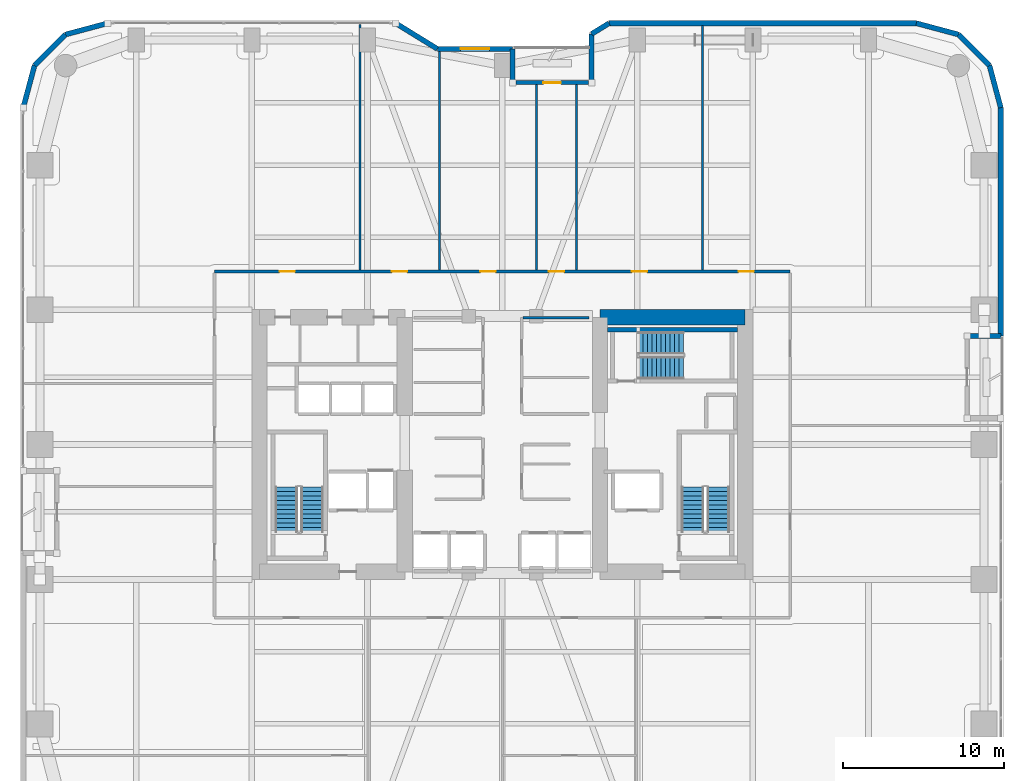
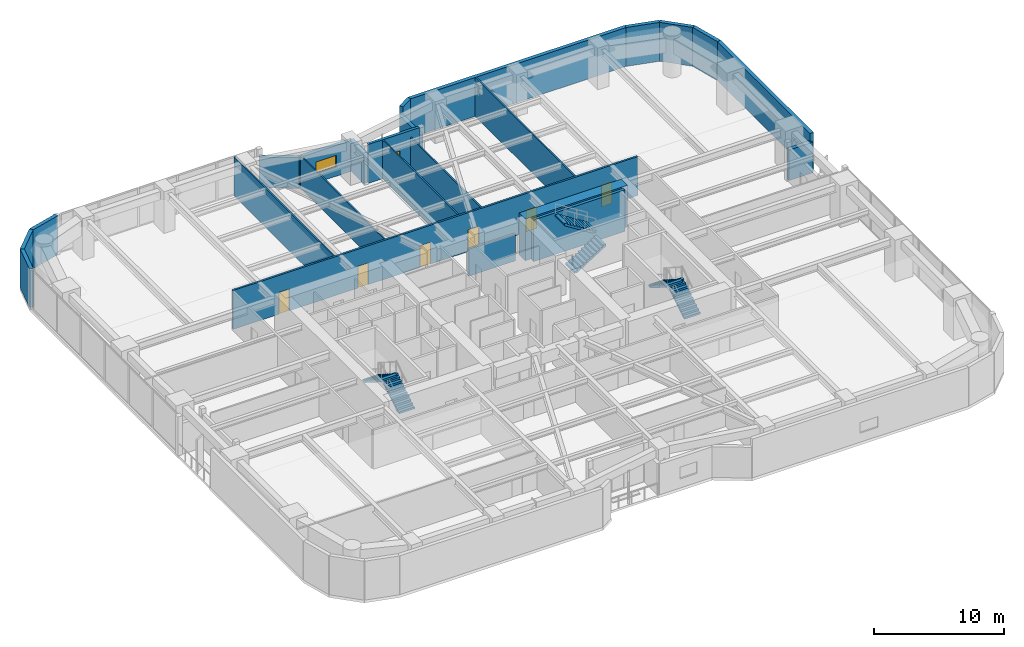
# One storey, part 25 of 28: 24 walls, 7 doors, 6 stair flights, 1 window, 8 openings, 3 elements without a shape of their own.
"""IFC4 building model written with IfcOpenShell, lengths in metres."""

from ifc_helpers import new_model, si_unit, direction, frame, frame_2d, origin, place, context, subcontext, project, spatial, polyline, rectangle, outline, extrude, material, layer, layer_set, type_object, element, fill, aggregate, save


model = new_model("IFC4")

# Units and contexts
model_context = context("Model", 3, precision=1e-05, world=origin(), true_north=direction((0.0, 1.0)))
body_context = subcontext(model_context, "Body", "Model", "MODEL_VIEW")
ifc_project = project(units=[si_unit("LENGTHUNIT", "METRE"), si_unit("AREAUNIT", "SQUARE_METRE"), si_unit("VOLUMEUNIT", "CUBIC_METRE"), si_unit("PLANEANGLEUNIT", "RADIAN"), si_unit("MASSUNIT", "GRAM", prefix="KILO")], contexts=[model_context])

# Site, building, storey
site_placement = place(None, origin())
site = spatial("IfcSite", under=ifc_project, at=site_placement, CompositionType="ELEMENT")
building_placement = place(site_placement, origin())
building = spatial("IfcBuilding", under=site, at=building_placement, Name="Kiyonajd Concourse Tower", CompositionType="ELEMENT")
storey_placement = place(building_placement, frame((0.0, 0.0, 41.10009765625)))
storey = spatial("IfcBuildingStorey", under=building, at=storey_placement, Name="L11", CompositionType="ELEMENT", Elevation=41.10009765625)

# Walls
ifc_material_1 = material(Name="Concrete C80/95", Category="concrete")
ifc_layer_1 = layer(ifc_material_1, 0.949951171875)
ifc_layer_set_1 = layer_set([ifc_layer_1], Name="Concrete C80/95")
wall_type_1 = type_object("IfcWallType", Name="WL-CORE-950", PredefinedType="SHEAR", material=ifc_layer_set_1)
wall_1_placement = place(storey_placement, frame((54.074951171875, 43.925048828125, 0.0), z_axis=(0.0, 0.0, 1.0), x_axis=(1.0, 0.0, 0.0)))
element("IfcWall", 1, at=wall_1_placement, inside=storey, type_object=wall_type_1, Name="L11 East Core North Shear Wall", PredefinedType="SHEAR", context=body_context, shape_type="SweptSolid", body=[
    extrude(rectangle(XDim=9.050048828125, YDim=0.949951171875, at=frame_2d((4.52490234375, 0.0))), origin(), (0.0, 0.0, 1.0), 3.89990234375),
])
ifc_material_2 = material(Name="Precast concrete C50/60", Category="concrete")
ifc_layer_2 = layer(ifc_material_2, 0.320068359375)
ifc_layer_set_2 = layer_set([ifc_layer_2], Name="Precast concrete C50/60")
wall_type_2 = type_object("IfcWallType", Name="WL-EXT-320", PredefinedType="SOLIDWALL", material=ifc_layer_set_2)
wall_2_placement = place(storey_placement, frame((18.159912109375, 56.97900390625, 0.0), z_axis=(0.0, 0.0, 1.0), x_axis=(0.25869736047, 0.965958423373, 0.0)))
element("IfcWall", 2, at=wall_2_placement, inside=storey, type_object=wall_type_2, Name="L11 Exterior Concrete Frame Wall 06", PredefinedType="SOLIDWALL", context=body_context, shape_type="SweptSolid", body=[
    extrude(rectangle(XDim=2.731201171875, YDim=0.320068359375, at=frame_2d((1.36572265625, 0.0))), origin(), (0.0, 0.0, 1.0), 3.639892578125),
])
wall_3_placement = place(storey_placement, frame((18.866455078125, 59.6171875, 0.0), z_axis=(0.0, 0.0, 1.0), x_axis=(0.707106781187, 0.707106781187, 0.0)))
element("IfcWall", 3, at=wall_3_placement, inside=storey, type_object=wall_type_2, Name="L11 Exterior Concrete Frame Wall 07", PredefinedType="SOLIDWALL", context=body_context, shape_type="SweptSolid", body=[
    extrude(rectangle(XDim=2.7099609375, YDim=0.320068359375, at=frame_2d((1.35498046875, 0.0))), origin(), (0.0, 0.0, 1.0), 3.639892578125),
])
wall_4_placement = place(storey_placement, frame((20.78271484375, 61.533447265625, 0.0), z_axis=(0.0, 0.0, 1.0), x_axis=(0.965964405026, 0.25867502435, 0.0)))
element("IfcWall", 4, at=wall_4_placement, inside=storey, type_object=wall_type_2, Name="L11 Exterior Concrete Frame Wall 08", PredefinedType="SOLIDWALL", context=body_context, shape_type="SweptSolid", body=[
    extrude(rectangle(XDim=2.7314453125, YDim=0.320068359375, at=frame_2d((1.36572265625, 0.0))), origin(), (0.0, 0.0, 1.0), 3.639892578125),
])
wall_5_placement = place(storey_placement, frame((41.354736328125, 62.239990234375, 0.0), z_axis=(0.0, 0.0, 1.0), x_axis=(0.851630857047, -0.524142044989, 0.0)))
element("IfcWall", 5, at=wall_5_placement, inside=storey, type_object=wall_type_2, Name="L11 Exterior Concrete Frame Wall 10", PredefinedType="SOLIDWALL", context=body_context, shape_type="SweptSolid", body=[
    extrude(rectangle(XDim=3.052734375, YDim=0.320068359375, at=frame_2d((1.5263671875, 0.0))), origin(), (0.0, 0.0, 1.0), 2.875),
])

# Wall, opening, window
wall_6_placement = place(storey_placement, frame((43.95458984375, 60.639892578125, 0.0), z_axis=(0.0, 0.0, 1.0), x_axis=(1.0, 0.0, 0.0)))
wall_6 = element("IfcWall", 6, at=wall_6_placement, inside=storey, type_object=wall_type_2, Name="L11 Exterior Concrete Frame Wall 11", PredefinedType="SOLIDWALL", context=body_context, shape_type="SweptSolid", body=[
    extrude(rectangle(XDim=4.685302734375, YDim=0.320068359375, at=frame_2d((2.3427734375, 0.0))), origin(), (0.0, 0.0, 1.0), 2.875),
])
opening_1_placement = place(wall_6_placement, frame((1.443115234375, 0.0, 0.85009765625)))
opening_1 = element("IfcOpeningElement", 7, at=opening_1_placement, cuts=wall_6, Name="Opening WN1", PredefinedType="OPENING", context=body_context, shape_type="SweptSolid", body=[
    extrude(rectangle(XDim=1.800048828125, YDim=1.10009765625, at=frame_2d((0.89990234375, 0.550048828125))), frame((0.0, 0.169921875, 0.0), z_axis=(0.0, -1.0, 0.0), x_axis=(1.0, 0.0, 0.0)), (0.0, 0.0, 1.0), 0.340087890625),
])
ifc_material_3 = material(Name="Double Low-E Insulated Glass", Category="glass")
window_type = type_object("IfcWindowType", Name="WN-VIS-1800x1100", PartitioningType="SINGLE_PANEL", PredefinedType="WINDOW", material=ifc_material_3)
window_placement = place(opening_1_placement, origin())
window = element("IfcWindow", 8, at=window_placement, inside=storey, type_object=window_type, Name="L11 Modular Facade Vision Window 11", OverallHeight=1.10009765625, OverallWidth=1.800048828125, PartitioningType="SINGLE_PANEL", PredefinedType="WINDOW", context=body_context, shape_type="SweptSolid", body=[
    extrude(rectangle(XDim=1.800048828125, YDim=1.10009765625, at=frame_2d((0.89990234375, 0.550048828125))), frame((0.0, 0.030029296875, 0.0), z_axis=(0.0, -1.0, 0.0), x_axis=(1.0, 0.0, 0.0)), (0.0, 0.0, 1.0), 0.06005859375),
])
fill(opening_1, window)

# Walls
wall_7_placement = place(storey_placement, frame((48.639892578125, 60.639892578125, 0.0), z_axis=(0.0, 0.0, 1.0), x_axis=(0.0, -1.0, 0.0)))
element("IfcWall", 9, at=wall_7_placement, inside=storey, type_object=wall_type_2, Name="L11 Exterior Concrete Frame Wall 12", PredefinedType="SOLIDWALL", context=body_context, shape_type="SweptSolid", body=[
    extrude(rectangle(XDim=2.099853515625, YDim=0.320068359375, at=frame_2d((1.0498046875, 0.0))), origin(), (0.0, 0.0, 1.0), 2.875),
])
wall_8_placement = place(storey_placement, frame((53.56005859375, 58.5400390625, 0.0), z_axis=(0.0, 0.0, 1.0), x_axis=(0.0, 1.0, 0.0)))
element("IfcWall", 10, at=wall_8_placement, inside=storey, type_object=wall_type_2, Name="L11 Exterior Concrete Frame Wall 14", PredefinedType="SOLIDWALL", context=body_context, shape_type="SweptSolid", body=[
    extrude(rectangle(XDim=3.032470703125, YDim=0.320068359375, at=frame_2d((1.51611328125, 0.0))), origin(), (0.0, 0.0, 1.0), 2.875),
])
wall_9_placement = place(storey_placement, frame((53.56005859375, 61.572509765625, 0.0), z_axis=(0.0, 0.0, 1.0), x_axis=(0.851776724646, 0.523904964045, 0.0)))
element("IfcWall", 11, at=wall_9_placement, inside=storey, type_object=wall_type_2, Name="L11 Exterior Concrete Frame Wall 15", PredefinedType="SOLIDWALL", context=body_context, shape_type="SweptSolid", body=[
    extrude(rectangle(XDim=1.274169921875, YDim=0.320068359375, at=frame_2d((0.63720703125, 0.0))), origin(), (0.0, 0.0, 1.0), 3.639892578125),
])
wall_10_placement = place(storey_placement, frame((54.645263671875, 62.239990234375, 0.0), z_axis=(0.0, 0.0, 1.0), x_axis=(1.0, 0.0, 0.0)))
element("IfcWall", 12, at=wall_10_placement, inside=storey, type_object=wall_type_2, Name="L11 Exterior Concrete Frame Wall 16", PredefinedType="SOLIDWALL", context=body_context, shape_type="SweptSolid", body=[
    extrude(rectangle(XDim=19.133544921875, YDim=0.320068359375, at=frame_2d((9.56689453125, 0.0))), origin(), (0.0, 0.0, 1.0), 3.639892578125),
])
wall_11_placement = place(storey_placement, frame((73.77880859375, 62.239990234375, 0.0), z_axis=(0.0, 0.0, 1.0), x_axis=(0.965964405026, -0.25867502435, 0.0)))
element("IfcWall", 13, at=wall_11_placement, inside=storey, type_object=wall_type_2, Name="L11 Exterior Concrete Frame Wall 17", PredefinedType="SOLIDWALL", context=body_context, shape_type="SweptSolid", body=[
    extrude(rectangle(XDim=2.7314453125, YDim=0.320068359375, at=frame_2d((1.36572265625, 0.0))), origin(), (0.0, 0.0, 1.0), 3.639892578125),
])
wall_12_placement = place(storey_placement, frame((76.417236328125, 61.533447265625, 0.0), z_axis=(0.0, 0.0, 1.0), x_axis=(0.707106781187, -0.707106781187, 0.0)))
element("IfcWall", 14, at=wall_12_placement, inside=storey, type_object=wall_type_2, Name="L11 Exterior Concrete Frame Wall 18", PredefinedType="SOLIDWALL", context=body_context, shape_type="SweptSolid", body=[
    extrude(rectangle(XDim=2.7099609375, YDim=0.320068359375, at=frame_2d((1.35498046875, 0.0))), origin(), (0.0, 0.0, 1.0), 3.639892578125),
])
wall_13_placement = place(storey_placement, frame((78.33349609375, 59.6171875, 0.0), z_axis=(0.0, 0.0, 1.0), x_axis=(0.25869736047, -0.965958423373, 0.0)))
element("IfcWall", 15, at=wall_13_placement, inside=storey, type_object=wall_type_2, Name="L11 Exterior Concrete Frame Wall 19", PredefinedType="SOLIDWALL", context=body_context, shape_type="SweptSolid", body=[
    extrude(rectangle(XDim=2.731201171875, YDim=0.320068359375, at=frame_2d((1.36572265625, 0.0))), origin(), (0.0, 0.0, 1.0), 3.639892578125),
])
wall_14_placement = place(storey_placement, frame((79.0400390625, 56.97900390625, 0.0), z_axis=(0.0, 0.0, 1.0), x_axis=(0.0, -1.0, 0.0)))
element("IfcWall", 16, at=wall_14_placement, inside=storey, type_object=wall_type_2, Name="L11 Exterior Concrete Frame Wall 20", PredefinedType="SOLIDWALL", context=body_context, shape_type="SweptSolid", body=[
    extrude(rectangle(XDim=14.218994140625, YDim=0.320068359375, at=frame_2d((7.109375, 0.0))), origin(), (0.0, 0.0, 1.0), 3.639892578125),
])
wall_15_placement = place(storey_placement, frame((79.0400390625, 42.760009765625, 0.0), z_axis=(0.0, 0.0, 1.0), x_axis=(-1.0, 0.0, 0.0)))
element("IfcWall", 17, at=wall_15_placement, inside=storey, type_object=wall_type_2, Name="L11 Exterior Concrete Frame Wall 21", PredefinedType="SOLIDWALL", context=body_context, shape_type="SweptSolid", body=[
    extrude(rectangle(XDim=2.10009765625, YDim=0.320068359375, at=frame_2d((1.050048828125, 0.0))), origin(), (0.0, 0.0, 1.0), 2.875),
])

# Wall, opening, door
ifc_layer_3 = layer(ifc_material_2, 0.239990234375)
ifc_layer_set_3 = layer_set([ifc_layer_3], Name="Precast concrete C50/60")
wall_type_3 = type_object("IfcWallType", Name="WL-LOG-240", PredefinedType="SOLIDWALL", material=ifc_layer_set_3)
wall_16_placement = place(storey_placement, frame((48.8349609375, 58.5400390625, 0.0), z_axis=(0.0, 0.0, 1.0), x_axis=(1.0, 0.0, 0.0)))
wall_16 = element("IfcWall", 18, at=wall_16_placement, inside=storey, type_object=wall_type_3, Name="L11 Recessed Loggia Thermal Wall LOG-N", PredefinedType="SOLIDWALL", context=body_context, shape_type="SweptSolid", body=[
    extrude(rectangle(XDim=4.530029296875, YDim=0.239990234375, at=frame_2d((2.26513671875, 0.0))), origin(), (0.0, 0.0, 1.0), 3.639892578125),
])
opening_2_placement = place(wall_16_placement, frame((1.715087890625, 0.0, 0.0)))
opening_2 = element("IfcOpeningElement", 19, at=opening_2_placement, cuts=wall_16, Name="Opening DL2", PredefinedType="OPENING", context=body_context, shape_type="SweptSolid", body=[
    extrude(rectangle(XDim=1.10009765625, YDim=2.0400390625, at=frame_2d((0.550048828125, 1.02001953125))), frame((0.0, 0.1298828125, 0.0), z_axis=(0.0, -1.0, 0.0), x_axis=(1.0, 0.0, 0.0)), (0.0, 0.0, 1.0), 0.260009765625),
])
ifc_material_4 = material(Name="Thermally Broken Anodised Aluminium", Category="aluminium")
door_type_1 = type_object("IfcDoorType", Name="DR-LOG-1100", OperationType="NOTDEFINED", PredefinedType="DOOR", material=ifc_material_4)
door_1_placement = place(opening_2_placement, origin())
door_1 = element("IfcDoor", 20, at=door_1_placement, inside=storey, type_object=door_type_1, Name="L11 Engawa Loggia Access Door LOG-N", OperationType="SINGLE_SWING_RIGHT", OverallHeight=2.0400390625, OverallWidth=1.10009765625, PredefinedType="DOOR", context=body_context, shape_type="SweptSolid", body=[
    extrude(rectangle(XDim=1.10009765625, YDim=2.0400390625, at=frame_2d((0.550048828125, 1.02001953125))), frame((0.0, 0.02490234375, 0.0), z_axis=(0.0, -1.0, 0.0), x_axis=(1.0, 0.0, 0.0)), (0.0, 0.0, 1.0), 0.050048828125),
])
fill(opening_2, door_1)

# Walls
ifc_material_5 = material(Name="Gypsum Board on Cold-Formed Steel Stud", Category="steel")
ifc_layer_4 = layer(ifc_material_5, 0.125)
ifc_layer_set_4 = layer_set([ifc_layer_4], Name="Gypsum Board on Cold-Formed Steel Stud")
wall_type_4 = type_object("IfcWallType", Name="WL-PART-125", PredefinedType="PARTITIONING", material=ifc_layer_set_4)
wall_17_placement = place(storey_placement, frame((39.1298828125, 46.866943359375, 0.0), z_axis=(0.0, 0.0, 1.0), x_axis=(0.0, 1.0, 0.0)))
element("IfcWall", 21, at=wall_17_placement, inside=storey, type_object=wall_type_4, Name="L11 Interior Partition Wall", PredefinedType="PARTITIONING", context=body_context, shape_type="SweptSolid", body=[
    extrude(rectangle(XDim=15.2880859375, YDim=0.125, at=frame_2d((7.64404296875, 0.0))), origin(), (0.0, 0.0, 1.0), 3.639892578125),
])
wall_18_placement = place(storey_placement, frame((44.070068359375, 46.866943359375, 0.0), z_axis=(0.0, 0.0, 1.0), x_axis=(0.0, 1.0, 0.0)))
element("IfcWall", 22, at=wall_18_placement, inside=storey, type_object=wall_type_4, Name="L11 Interior Partition Wall", PredefinedType="PARTITIONING", context=body_context, shape_type="SweptSolid", body=[
    extrude(rectangle(XDim=13.6181640625, YDim=0.125, at=frame_2d((6.80908203125, 0.0))), origin(), (0.0, 0.0, 1.0), 3.0029296875),
])
wall_19_placement = place(storey_placement, frame((50.1298828125, 46.866943359375, 0.0), z_axis=(0.0, 0.0, 1.0), x_axis=(0.0, 1.0, 0.0)))
element("IfcWall", 23, at=wall_19_placement, inside=storey, type_object=wall_type_4, Name="L11 Interior Partition Wall", PredefinedType="PARTITIONING", context=body_context, shape_type="SweptSolid", body=[
    extrude(rectangle(XDim=11.55810546875, YDim=0.125, at=frame_2d((5.779052734375, 0.0))), origin(), (0.0, 0.0, 1.0), 3.639892578125),
])
wall_20_placement = place(storey_placement, frame((52.610107421875, 46.866943359375, 0.0), z_axis=(0.0, 0.0, 1.0), x_axis=(0.0, 1.0, 0.0)))
element("IfcWall", 24, at=wall_20_placement, inside=storey, type_object=wall_type_4, Name="L11 Interior Partition Wall", PredefinedType="PARTITIONING", context=body_context, shape_type="SweptSolid", body=[
    extrude(rectangle(XDim=11.55810546875, YDim=0.125, at=frame_2d((5.779052734375, 0.0))), origin(), (0.0, 0.0, 1.0), 3.0029296875),
])
wall_21_placement = place(storey_placement, frame((60.4599609375, 46.866943359375, 0.0), z_axis=(0.0, 0.0, 1.0), x_axis=(0.0, 1.0, 0.0)))
element("IfcWall", 25, at=wall_21_placement, inside=storey, type_object=wall_type_4, Name="L11 Interior Partition Wall", PredefinedType="PARTITIONING", context=body_context, shape_type="SweptSolid", body=[
    extrude(rectangle(XDim=15.218017578125, YDim=0.125, at=frame_2d((7.60888671875, 0.0))), origin(), (0.0, 0.0, 1.0), 3.639892578125),
])
ifc_layer_5 = layer(ifc_material_5, 0.169921875)
ifc_layer_set_5 = layer_set([ifc_layer_5], Name="Gypsum Board on Cold-Formed Steel Stud")
wall_type_5 = type_object("IfcWallType", Name="WL-SMK-170", PredefinedType="PARTITIONING", material=ifc_layer_set_5)
wall_22_placement = place(storey_placement, frame((49.287109375, 43.89990234375, 0.0), z_axis=(0.0, 0.0, 1.0), x_axis=(1.0, 0.0, 0.0)))
element("IfcWall", 26, at=wall_22_placement, inside=storey, type_object=wall_type_5, Name="L11 Interior Partition Wall", PredefinedType="PARTITIONING", context=body_context, shape_type="SweptSolid", body=[
    extrude(rectangle(XDim=4.11279296875, YDim=0.169921875, at=frame_2d((2.056396484375, 0.0))), origin(), (0.0, 0.0, 1.0), 2.52490234375),
])

# Wall, openings, doors
wall_23_placement = place(storey_placement, frame((30.074951171875, 46.780029296875, 0.0), z_axis=(0.0, 0.0, 1.0), x_axis=(1.0, 0.0, 0.0)))
wall_23 = element("IfcWall", 27, at=wall_23_placement, inside=storey, type_object=wall_type_5, Name="L11 Interior Partition Wall", PredefinedType="PARTITIONING", context=body_context, shape_type="SweptSolid", body=[
    extrude(rectangle(XDim=35.85009765625, YDim=0.169921875, at=frame_2d((17.925048828125, 0.0))), origin(), (0.0, 0.0, 1.0), 3.639892578125),
])
opening_3_placement = place(wall_23_placement, frame((4.052978515625, 0.0, 0.0)))
opening_3 = element("IfcOpeningElement", 28, at=opening_3_placement, cuts=wall_23, Name="Opening DI1", PredefinedType="OPENING", context=body_context, shape_type="SweptSolid", body=[
    extrude(rectangle(XDim=0.949951171875, YDim=2.0400390625, at=frame_2d((0.47509765625, 1.02001953125))), frame((0.0, 0.094970703125, 0.0), z_axis=(0.0, -1.0, 0.0), x_axis=(1.0, 0.0, 0.0)), (0.0, 0.0, 1.0), 0.18994140625),
])
opening_4_placement = place(wall_23_placement, frame((11.050048828125, 0.0, 0.0)))
opening_4 = element("IfcOpeningElement", 29, at=opening_4_placement, cuts=wall_23, Name="Opening DI1", PredefinedType="OPENING", context=body_context, shape_type="SweptSolid", body=[
    extrude(rectangle(XDim=0.949951171875, YDim=2.0400390625, at=frame_2d((0.47509765625, 1.02001953125))), frame((0.0, 0.094970703125, 0.0), z_axis=(0.0, -1.0, 0.0), x_axis=(1.0, 0.0, 0.0)), (0.0, 0.0, 1.0), 0.18994140625),
])
opening_5_placement = place(wall_23_placement, frame((16.550048828125, 0.0, 0.0)))
opening_5 = element("IfcOpeningElement", 30, at=opening_5_placement, cuts=wall_23, Name="Opening DI1", PredefinedType="OPENING", context=body_context, shape_type="SweptSolid", body=[
    extrude(rectangle(XDim=0.949951171875, YDim=2.0400390625, at=frame_2d((0.47509765625, 1.02001953125))), frame((0.0, 0.094970703125, 0.0), z_axis=(0.0, -1.0, 0.0), x_axis=(1.0, 0.0, 0.0)), (0.0, 0.0, 1.0), 0.18994140625),
])
opening_6_placement = place(wall_23_placement, frame((20.820068359375, 0.0, 0.0)))
opening_6 = element("IfcOpeningElement", 31, at=opening_6_placement, cuts=wall_23, Name="Opening DI1", PredefinedType="OPENING", context=body_context, shape_type="SweptSolid", body=[
    extrude(rectangle(XDim=0.949951171875, YDim=2.0400390625, at=frame_2d((0.47509765625, 1.02001953125))), frame((0.0, 0.094970703125, 0.0), z_axis=(0.0, -1.0, 0.0), x_axis=(1.0, 0.0, 0.0)), (0.0, 0.0, 1.0), 0.18994140625),
])
opening_7_placement = place(wall_23_placement, frame((25.985107421875, 0.0, 0.0)))
opening_7 = element("IfcOpeningElement", 32, at=opening_7_placement, cuts=wall_23, Name="Opening DI1", PredefinedType="OPENING", context=body_context, shape_type="SweptSolid", body=[
    extrude(rectangle(XDim=0.949951171875, YDim=2.0400390625, at=frame_2d((0.47509765625, 1.02001953125))), frame((0.0, 0.094970703125, 0.0), z_axis=(0.0, -1.0, 0.0), x_axis=(1.0, 0.0, 0.0)), (0.0, 0.0, 1.0), 0.18994140625),
])
opening_8_placement = place(wall_23_placement, frame((32.64306640625, 0.0, 0.0)))
opening_8 = element("IfcOpeningElement", 33, at=opening_8_placement, cuts=wall_23, Name="Opening DI1", PredefinedType="OPENING", context=body_context, shape_type="SweptSolid", body=[
    extrude(rectangle(XDim=0.949951171875, YDim=2.0400390625, at=frame_2d((0.47509765625, 1.02001953125))), frame((0.0, 0.094970703125, 0.0), z_axis=(0.0, -1.0, 0.0), x_axis=(1.0, 0.0, 0.0)), (0.0, 0.0, 1.0), 0.18994140625),
])
ifc_material_6 = material(Name="Natural Oak Acoustic Timber Veneer", Category="wood")
door_type_2 = type_object("IfcDoorType", Name="DR-INT-950", OperationType="NOTDEFINED", PredefinedType="DOOR", material=ifc_material_6)
door_2_placement = place(opening_3_placement, origin())
door_2 = element("IfcDoor", 34, at=door_2_placement, inside=storey, type_object=door_type_2, Name="L11 Interior Door", OperationType="SINGLE_SWING_LEFT", OverallHeight=2.0400390625, OverallWidth=0.949951171875, PredefinedType="DOOR", context=body_context, shape_type="SweptSolid", body=[
    extrude(rectangle(XDim=0.949951171875, YDim=2.0400390625, at=frame_2d((0.47509765625, 1.02001953125))), frame((0.0, 0.02490234375, 0.0), z_axis=(0.0, -1.0, 0.0), x_axis=(1.0, 0.0, 0.0)), (0.0, 0.0, 1.0), 0.050048828125),
])
fill(opening_3, door_2)
door_3_placement = place(opening_4_placement, origin())
door_3 = element("IfcDoor", 35, at=door_3_placement, inside=storey, type_object=door_type_2, Name="L11 Interior Door", OperationType="SINGLE_SWING_RIGHT", OverallHeight=2.0400390625, OverallWidth=0.949951171875, PredefinedType="DOOR", context=body_context, shape_type="SweptSolid", body=[
    extrude(rectangle(XDim=0.949951171875, YDim=2.0400390625, at=frame_2d((0.47509765625, 1.02001953125))), frame((0.0, 0.02490234375, 0.0), z_axis=(0.0, -1.0, 0.0), x_axis=(1.0, 0.0, 0.0)), (0.0, 0.0, 1.0), 0.050048828125),
])
fill(opening_4, door_3)
door_4_placement = place(opening_5_placement, origin())
door_4 = element("IfcDoor", 36, at=door_4_placement, inside=storey, type_object=door_type_2, Name="L11 Interior Door", OperationType="SINGLE_SWING_LEFT", OverallHeight=2.0400390625, OverallWidth=0.949951171875, PredefinedType="DOOR", context=body_context, shape_type="SweptSolid", body=[
    extrude(rectangle(XDim=0.949951171875, YDim=2.0400390625, at=frame_2d((0.47509765625, 1.02001953125))), frame((0.0, 0.02490234375, 0.0), z_axis=(0.0, -1.0, 0.0), x_axis=(1.0, 0.0, 0.0)), (0.0, 0.0, 1.0), 0.050048828125),
])
fill(opening_5, door_4)
door_5_placement = place(opening_6_placement, origin())
door_5 = element("IfcDoor", 37, at=door_5_placement, inside=storey, type_object=door_type_2, Name="L11 Interior Door", OperationType="SINGLE_SWING_RIGHT", OverallHeight=2.0400390625, OverallWidth=0.949951171875, PredefinedType="DOOR", context=body_context, shape_type="SweptSolid", body=[
    extrude(rectangle(XDim=0.949951171875, YDim=2.0400390625, at=frame_2d((0.47509765625, 1.02001953125))), frame((0.0, 0.02490234375, 0.0), z_axis=(0.0, -1.0, 0.0), x_axis=(1.0, 0.0, 0.0)), (0.0, 0.0, 1.0), 0.050048828125),
])
fill(opening_6, door_5)
door_6_placement = place(opening_7_placement, origin())
door_6 = element("IfcDoor", 38, at=door_6_placement, inside=storey, type_object=door_type_2, Name="L11 Interior Door", OperationType="SINGLE_SWING_LEFT", OverallHeight=2.0400390625, OverallWidth=0.949951171875, PredefinedType="DOOR", context=body_context, shape_type="SweptSolid", body=[
    extrude(rectangle(XDim=0.949951171875, YDim=2.0400390625, at=frame_2d((0.47509765625, 1.02001953125))), frame((0.0, 0.02490234375, 0.0), z_axis=(0.0, -1.0, 0.0), x_axis=(1.0, 0.0, 0.0)), (0.0, 0.0, 1.0), 0.050048828125),
])
fill(opening_7, door_6)
door_7_placement = place(opening_8_placement, origin())
door_7 = element("IfcDoor", 39, at=door_7_placement, inside=storey, type_object=door_type_2, Name="L11 Interior Door", OperationType="SINGLE_SWING_RIGHT", OverallHeight=2.0400390625, OverallWidth=0.949951171875, PredefinedType="DOOR", context=body_context, shape_type="SweptSolid", body=[
    extrude(rectangle(XDim=0.949951171875, YDim=2.0400390625, at=frame_2d((0.47509765625, 1.02001953125))), frame((0.0, 0.02490234375, 0.0), z_axis=(0.0, -1.0, 0.0), x_axis=(1.0, 0.0, 0.0)), (0.0, 0.0, 1.0), 0.050048828125),
])
fill(opening_8, door_7)

# Wall
ifc_material_7 = material(Name="Concrete C50/60", Category="concrete")
ifc_layer_6 = layer(ifc_material_7, 0.260009765625)
ifc_layer_set_6 = layer_set([ifc_layer_6], Name="Concrete C50/60")
wall_type_6 = type_object("IfcWallType", Name="WL-STAIR-260", PredefinedType="SHEAR", material=ifc_layer_set_6)
wall_24_placement = place(storey_placement, frame((54.550048828125, 43.14990234375, 0.0), z_axis=(0.0, 0.0, 1.0), x_axis=(1.0, 0.0, 0.0)))
element("IfcWall", 40, at=wall_24_placement, inside=storey, type_object=wall_type_6, Name="L11 Stair ST3 Structural North Wall", PredefinedType="SHEAR", context=body_context, shape_type="SweptSolid", body=[
    extrude(rectangle(XDim=8.099853515625, YDim=0.260009765625, at=frame_2d((4.0498046875, 0.0))), origin(), (0.0, 0.0, 1.0), 3.89990234375),
])

# Stair, stair flights
ifc_material_8 = material(Name="Concrete C40/50", Category="concrete")
stair_type = type_object("IfcStairType", Name="ST-DLG-22R", PredefinedType="HALF_TURN_STAIR", material=ifc_material_8)
stair_1_placement = place(storey_placement, origin())
stair_1 = element("IfcStair", 41, at=stair_1_placement, inside=storey, type_object=stair_type, Name="L11 Protected Exit Stair ST1", PredefinedType="HALF_TURN_STAIR")
stair_flight_type = type_object("IfcStairFlightType", Name="SF-STR-22R", PredefinedType="STRAIGHT", material=ifc_material_8)
stair_flight_1_placement = place(storey_placement, frame((36.14990234375, 30.550048828125, 0.0), z_axis=(0.0, 0.0, 1.0), x_axis=(0.0, 1.0, 0.0)))
stair_flight_1 = element("IfcStairFlight", 42, at=stair_flight_1_placement, type_object=stair_flight_type, Name="ST1 flight 1", NumberOfRisers=11, NumberOfTreads=10, PredefinedType="STRAIGHT", RiserHeight=0.177272727, TreadLength=0.28, context=body_context, shape_type="SweptSolid", body=[
    extrude(outline(polyline([(0.0, 0.0), (0.0, 0.17724609375), (0.280029296875, 0.17724609375), (0.280029296875, 0.3544921875), (0.56005859375, 0.3544921875), (0.56005859375, 0.53173828125), (0.840087890625, 0.53173828125), (0.840087890625, 0.708984375), (1.1201171875, 0.708984375), (1.1201171875, 0.886474609375), (1.39990234375, 0.886474609375), (1.39990234375, 1.063720703125), (1.679931640625, 1.063720703125), (1.679931640625, 1.240966796875), (1.9599609375, 1.240966796875), (1.9599609375, 1.418212890625), (2.239990234375, 1.418212890625), (2.239990234375, 1.595458984375), (2.52001953125, 1.595458984375), (2.52001953125, 1.772705078125), (2.800048828125, 1.772705078125), (2.800048828125, 1.949951171875), (2.800048828125, 1.59521484375), (0.2802734375, 0.0), (0.0, 0.0)])), frame((0.0, 0.699951171875, 0.0), z_axis=(0.0, -1.0, 0.0), x_axis=(1.0, 0.0, 0.0)), (0.0, 0.0, 1.0), 1.39990234375),
])
stair_flight_2_placement = place(storey_placement, frame((34.550048828125, 33.35009765625, 1.949951171875), z_axis=(0.0, 0.0, 1.0), x_axis=(0.0, -1.0, 0.0)))
stair_flight_2 = element("IfcStairFlight", 43, at=stair_flight_2_placement, type_object=stair_flight_type, Name="ST1 flight 2", NumberOfRisers=11, NumberOfTreads=10, PredefinedType="STRAIGHT", RiserHeight=0.177272727, TreadLength=0.28, context=body_context, shape_type="SweptSolid", body=[
    extrude(outline(polyline([(0.0, 0.0), (0.0, 0.17724609375), (0.280029296875, 0.17724609375), (0.280029296875, 0.3544921875), (0.56005859375, 0.3544921875), (0.56005859375, 0.53173828125), (0.840087890625, 0.53173828125), (0.840087890625, 0.708984375), (1.1201171875, 0.708984375), (1.1201171875, 0.886474609375), (1.39990234375, 0.886474609375), (1.39990234375, 1.063720703125), (1.679931640625, 1.063720703125), (1.679931640625, 1.240966796875), (1.9599609375, 1.240966796875), (1.9599609375, 1.418212890625), (2.239990234375, 1.418212890625), (2.239990234375, 1.595458984375), (2.52001953125, 1.595458984375), (2.52001953125, 1.772705078125), (2.800048828125, 1.772705078125), (2.800048828125, 1.949951171875), (2.800048828125, 1.59521484375), (0.2802734375, 0.0), (0.0, 0.0)])), frame((0.0, 0.699951171875, 0.0), z_axis=(0.0, -1.0, 0.0), x_axis=(1.0, 0.0, 0.0)), (0.0, 0.0, 1.0), 1.39990234375),
])
aggregate(stair_1, [stair_flight_1, stair_flight_2])

stair_2_placement = place(storey_placement, origin())
stair_2 = element("IfcStair", 44, at=stair_2_placement, inside=storey, type_object=stair_type, Name="L11 Protected Exit Stair ST2", PredefinedType="HALF_TURN_STAIR")
stair_flight_3_placement = place(storey_placement, frame((61.449951171875, 30.550048828125, 0.0), z_axis=(0.0, 0.0, 1.0), x_axis=(0.0, 1.0, 0.0)))
stair_flight_3 = element("IfcStairFlight", 45, at=stair_flight_3_placement, type_object=stair_flight_type, Name="ST2 flight 1", NumberOfRisers=11, NumberOfTreads=10, PredefinedType="STRAIGHT", RiserHeight=0.177272727, TreadLength=0.28, context=body_context, shape_type="SweptSolid", body=[
    extrude(outline(polyline([(0.0, 0.0), (0.0, 0.17724609375), (0.280029296875, 0.17724609375), (0.280029296875, 0.3544921875), (0.56005859375, 0.3544921875), (0.56005859375, 0.53173828125), (0.840087890625, 0.53173828125), (0.840087890625, 0.708984375), (1.1201171875, 0.708984375), (1.1201171875, 0.886474609375), (1.39990234375, 0.886474609375), (1.39990234375, 1.063720703125), (1.679931640625, 1.063720703125), (1.679931640625, 1.240966796875), (1.9599609375, 1.240966796875), (1.9599609375, 1.418212890625), (2.239990234375, 1.418212890625), (2.239990234375, 1.595458984375), (2.52001953125, 1.595458984375), (2.52001953125, 1.772705078125), (2.800048828125, 1.772705078125), (2.800048828125, 1.949951171875), (2.800048828125, 1.59521484375), (0.2802734375, 0.0), (0.0, 0.0)])), frame((0.0, 0.699951171875, 0.0), z_axis=(0.0, -1.0, 0.0), x_axis=(1.0, 0.0, 0.0)), (0.0, 0.0, 1.0), 1.39990234375),
])
stair_flight_4_placement = place(storey_placement, frame((59.85009765625, 33.35009765625, 1.949951171875), z_axis=(0.0, 0.0, 1.0), x_axis=(0.0, -1.0, 0.0)))
stair_flight_4 = element("IfcStairFlight", 46, at=stair_flight_4_placement, type_object=stair_flight_type, Name="ST2 flight 2", NumberOfRisers=11, NumberOfTreads=10, PredefinedType="STRAIGHT", RiserHeight=0.177272727, TreadLength=0.28, context=body_context, shape_type="SweptSolid", body=[
    extrude(outline(polyline([(0.0, 0.0), (0.0, 0.17724609375), (0.280029296875, 0.17724609375), (0.280029296875, 0.3544921875), (0.56005859375, 0.3544921875), (0.56005859375, 0.53173828125), (0.840087890625, 0.53173828125), (0.840087890625, 0.708984375), (1.1201171875, 0.708984375), (1.1201171875, 0.886474609375), (1.39990234375, 0.886474609375), (1.39990234375, 1.063720703125), (1.679931640625, 1.063720703125), (1.679931640625, 1.240966796875), (1.9599609375, 1.240966796875), (1.9599609375, 1.418212890625), (2.239990234375, 1.418212890625), (2.239990234375, 1.595458984375), (2.52001953125, 1.595458984375), (2.52001953125, 1.772705078125), (2.800048828125, 1.772705078125), (2.800048828125, 1.949951171875), (2.800048828125, 1.59521484375), (0.2802734375, 0.0), (0.0, 0.0)])), frame((0.0, 0.699951171875, 0.0), z_axis=(0.0, -1.0, 0.0), x_axis=(1.0, 0.0, 0.0)), (0.0, 0.0, 1.0), 1.39990234375),
])
aggregate(stair_2, [stair_flight_3, stair_flight_4])

stair_3_placement = place(storey_placement, origin())
stair_3 = element("IfcStair", 47, at=stair_3_placement, inside=storey, type_object=stair_type, Name="L11 Protected Exit Stair ST3", PredefinedType="HALF_TURN_STAIR")
stair_flight_5_placement = place(storey_placement, frame((56.47998046875, 40.780029296875, 0.0), z_axis=(0.0, 0.0, 1.0), x_axis=(1.0, 0.0, 0.0)))
stair_flight_5 = element("IfcStairFlight", 48, at=stair_flight_5_placement, type_object=stair_flight_type, Name="ST3 flight 1", NumberOfRisers=11, NumberOfTreads=10, PredefinedType="STRAIGHT", RiserHeight=0.177272727, TreadLength=0.28, context=body_context, shape_type="SweptSolid", body=[
    extrude(outline(polyline([(0.0, 0.0), (0.0, 0.17724609375), (0.280029296875, 0.17724609375), (0.280029296875, 0.3544921875), (0.56005859375, 0.3544921875), (0.56005859375, 0.53173828125), (0.840087890625, 0.53173828125), (0.840087890625, 0.708984375), (1.1201171875, 0.708984375), (1.1201171875, 0.886474609375), (1.39990234375, 0.886474609375), (1.39990234375, 1.063720703125), (1.679931640625, 1.063720703125), (1.679931640625, 1.240966796875), (1.9599609375, 1.240966796875), (1.9599609375, 1.418212890625), (2.239990234375, 1.418212890625), (2.239990234375, 1.595458984375), (2.52001953125, 1.595458984375), (2.52001953125, 1.772705078125), (2.800048828125, 1.772705078125), (2.800048828125, 1.949951171875), (2.800048828125, 1.59521484375), (0.2802734375, 0.0), (0.0, 0.0)])), frame((0.0, 0.699951171875, 0.0), z_axis=(0.0, -1.0, 0.0), x_axis=(1.0, 0.0, 0.0)), (0.0, 0.0, 1.0), 1.39990234375),
])
stair_flight_6_placement = place(storey_placement, frame((59.280029296875, 42.320068359375, 1.949951171875), z_axis=(0.0, 0.0, 1.0), x_axis=(-1.0, 0.0, 0.0)))
stair_flight_6 = element("IfcStairFlight", 49, at=stair_flight_6_placement, type_object=stair_flight_type, Name="ST3 flight 2", NumberOfRisers=11, NumberOfTreads=10, PredefinedType="STRAIGHT", RiserHeight=0.177272727, TreadLength=0.28, context=body_context, shape_type="SweptSolid", body=[
    extrude(outline(polyline([(0.0, 0.0), (0.0, 0.17724609375), (0.280029296875, 0.17724609375), (0.280029296875, 0.3544921875), (0.56005859375, 0.3544921875), (0.56005859375, 0.53173828125), (0.840087890625, 0.53173828125), (0.840087890625, 0.708984375), (1.1201171875, 0.708984375), (1.1201171875, 0.886474609375), (1.39990234375, 0.886474609375), (1.39990234375, 1.063720703125), (1.679931640625, 1.063720703125), (1.679931640625, 1.240966796875), (1.9599609375, 1.240966796875), (1.9599609375, 1.418212890625), (2.239990234375, 1.418212890625), (2.239990234375, 1.595458984375), (2.52001953125, 1.595458984375), (2.52001953125, 1.772705078125), (2.800048828125, 1.772705078125), (2.800048828125, 1.949951171875), (2.800048828125, 1.59521484375), (0.2802734375, 0.0), (0.0, 0.0)])), frame((0.0, 0.699951171875, 0.0), z_axis=(0.0, -1.0, 0.0), x_axis=(1.0, 0.0, 0.0)), (0.0, 0.0, 1.0), 1.39990234375),
])
aggregate(stair_3, [stair_flight_5, stair_flight_6])

save(model, "model.ifc")
